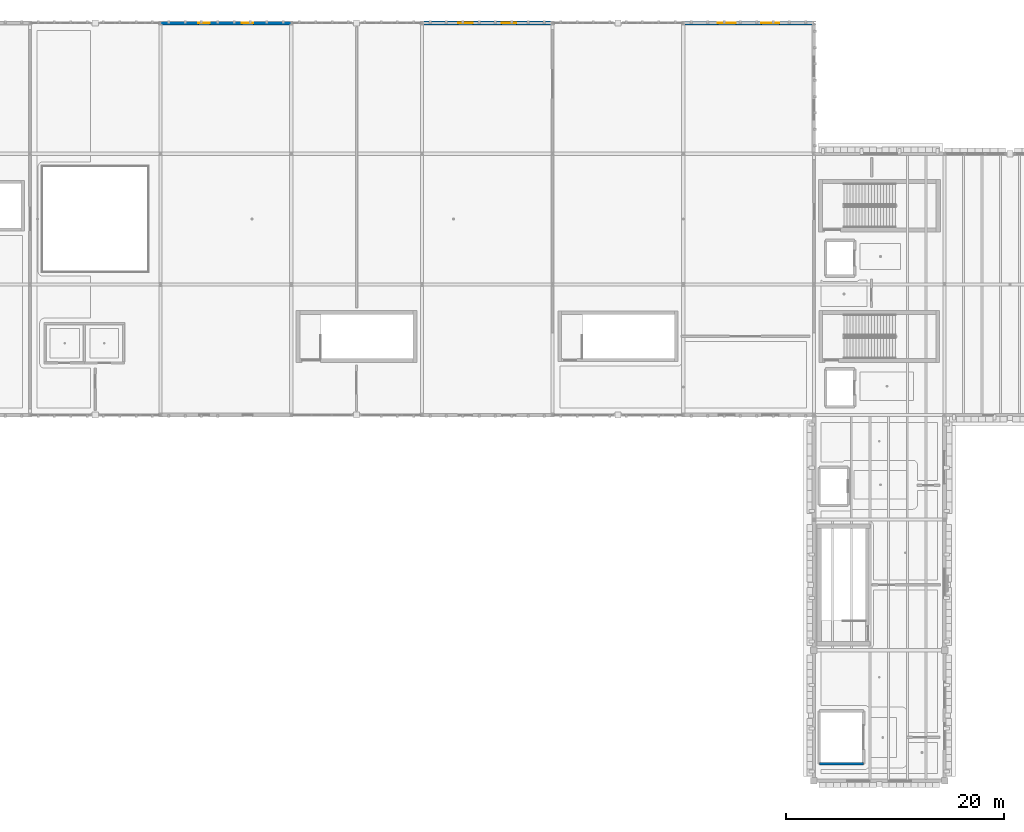
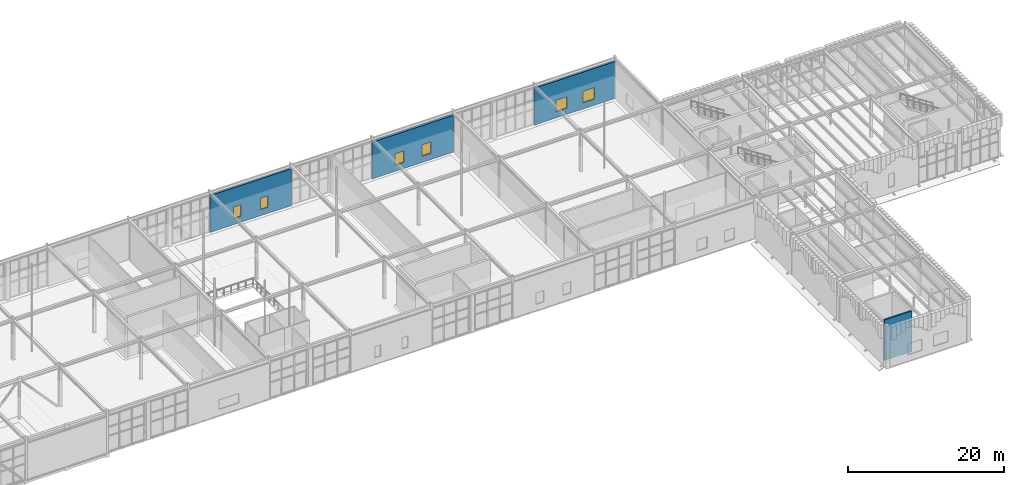
# One storey, part 40 of 62: 6 windows, 4 walls, 6 openings.
"""IFC4 building model written with IfcOpenShell, lengths in metres."""

from ifc_helpers import new_model, si_unit, direction, frame, frame_2d, origin, place, context, subcontext, project, spatial, rectangle, extrude, material, layer, layer_set, type_object, element, fill, save


model = new_model("IFC4")

# Units and contexts
model_context = context("Model", 3, precision=1e-05, world=origin(), true_north=direction((0.0, 1.0)))
body_context = subcontext(model_context, "Body", "Model", "MODEL_VIEW")
ifc_project = project(units=[si_unit("LENGTHUNIT", "METRE"), si_unit("AREAUNIT", "SQUARE_METRE"), si_unit("VOLUMEUNIT", "CUBIC_METRE"), si_unit("PLANEANGLEUNIT", "RADIAN"), si_unit("MASSUNIT", "GRAM", prefix="KILO")], contexts=[model_context])

# Site, building, storey
site_placement = place(None, origin())
site = spatial("IfcSite", under=ifc_project, at=site_placement, CompositionType="ELEMENT")
building_placement = place(site_placement, origin())
building = spatial("IfcBuilding", under=site, at=building_placement, Name="Zlatogorsky Bluff Art Gallery", CompositionType="ELEMENT")
storey_placement = place(building_placement, frame((0.0, 0.0, 16.800048828125)))
storey = spatial("IfcBuildingStorey", under=building, at=storey_placement, Name="L03", CompositionType="ELEMENT", Elevation=16.800048828125)

# Wall, openings, windows
ifc_material_1 = material(Name="Precast concrete C40/50", Category="concrete")
ifc_layer_1 = layer(ifc_material_1, 0.39990234375)
ifc_layer_set_1 = layer_set([ifc_layer_1], Name="Exterior Wall EW-02 400mm")
wall_type_1 = type_object("IfcWallType", Name="Exterior Wall EW-02 400mm", PredefinedType="SOLIDWALL", material=ifc_layer_set_1)
wall_1_placement = place(storey_placement, frame((96.0, 120.0, 0.0), z_axis=(0.0, 0.0, 1.0), x_axis=(-1.0, 0.0, 0.0)))
wall_1 = element("IfcWall", 1, at=wall_1_placement, inside=storey, type_object=wall_type_1, Name="Exterior wall EW-02 L03 N 7.10", PredefinedType="SOLIDWALL", context=body_context, shape_type="SweptSolid", body=[
    extrude(rectangle(XDim=12.0, YDim=0.39990234375, at=frame_2d((6.0, 0.0))), origin(), (0.0, 0.0, 1.0), 5.75),
])
opening_1_placement = place(wall_1_placement, frame((3.324951171875, 0.0, 0.949951171875)))
opening_1 = element("IfcOpeningElement", 2, at=opening_1_placement, cuts=wall_1, Name="Opening WN-16", PredefinedType="OPENING", context=body_context, shape_type="SweptSolid", body=[
    extrude(rectangle(XDim=1.35009765625, YDim=1.800048828125, at=frame_2d((0.675048828125, 0.89990234375))), frame((0.0, 0.2099609375, 0.0), z_axis=(0.0, -1.0, 0.0), x_axis=(1.0, 0.0, 0.0)), (0.0, 0.0, 1.0), 0.419921875),
])
opening_2_placement = place(wall_1_placement, frame((7.324951171875, 0.0, 0.949951171875)))
opening_2 = element("IfcOpeningElement", 3, at=opening_2_placement, cuts=wall_1, Name="Opening WN-16", PredefinedType="OPENING", context=body_context, shape_type="SweptSolid", body=[
    extrude(rectangle(XDim=1.35009765625, YDim=1.800048828125, at=frame_2d((0.675048828125, 0.89990234375))), frame((0.0, 0.2099609375, 0.0), z_axis=(0.0, -1.0, 0.0), x_axis=(1.0, 0.0, 0.0)), (0.0, 0.0, 1.0), 0.419921875),
])
ifc_material_2 = material(Name="Bronze-Anodised Aluminium Triple Glazing", Category="aluminium")
window_type_1 = type_object("IfcWindowType", Name="Pointed-Reveal Window WN-16 1350x1800", PartitioningType="SINGLE_PANEL", PredefinedType="WINDOW", material=ifc_material_2)
window_1_placement = place(opening_1_placement, origin())
window_1 = element("IfcWindow", 4, at=window_1_placement, inside=storey, type_object=window_type_1, Name="Window WN-16 L03.N.7.10.1", OverallHeight=1.800048828125, OverallWidth=1.35009765625, PartitioningType="SINGLE_PANEL", PredefinedType="WINDOW", context=body_context, shape_type="SweptSolid", body=[
    extrude(rectangle(XDim=1.35009765625, YDim=1.800048828125, at=frame_2d((0.675048828125, 0.89990234375))), frame((0.0, 0.030029296875, 0.0), z_axis=(0.0, -1.0, 0.0), x_axis=(1.0, 0.0, 0.0)), (0.0, 0.0, 1.0), 0.06005859375),
])
fill(opening_1, window_1)
window_2_placement = place(opening_2_placement, origin())
window_2 = element("IfcWindow", 5, at=window_2_placement, inside=storey, type_object=window_type_1, Name="Window WN-16 L03.N.7.10.2", OverallHeight=1.800048828125, OverallWidth=1.35009765625, PartitioningType="SINGLE_PANEL", PredefinedType="WINDOW", context=body_context, shape_type="SweptSolid", body=[
    extrude(rectangle(XDim=1.35009765625, YDim=1.800048828125, at=frame_2d((0.675048828125, 0.89990234375))), frame((0.0, 0.030029296875, 0.0), z_axis=(0.0, -1.0, 0.0), x_axis=(1.0, 0.0, 0.0)), (0.0, 0.0, 1.0), 0.06005859375),
])
fill(opening_2, window_2)

ifc_layer_2 = layer(ifc_material_1, 0.320068359375)
ifc_layer_set_2 = layer_set([ifc_layer_2], Name="Exterior Wall EW-04 320mm")
wall_type_2 = type_object("IfcWallType", Name="Exterior Wall EW-04 320mm", PredefinedType="SOLIDWALL", material=ifc_layer_set_2)
wall_2_placement = place(storey_placement, frame((72.0, 120.0, 0.0), z_axis=(0.0, 0.0, 1.0), x_axis=(-1.0, 0.0, 0.0)))
wall_2 = element("IfcWall", 6, at=wall_2_placement, inside=storey, type_object=wall_type_2, Name="Exterior wall EW-04 L03 N 5.10", PredefinedType="SOLIDWALL", context=body_context, shape_type="SweptSolid", body=[
    extrude(rectangle(XDim=12.0, YDim=0.320068359375, at=frame_2d((6.0, 0.0))), origin(), (0.0, 0.0, 1.0), 5.75),
])
opening_3_placement = place(wall_2_placement, frame((3.47509765625, 0.0, 0.949951171875)))
opening_3 = element("IfcOpeningElement", 7, at=opening_3_placement, cuts=wall_2, Name="Opening WN-14", PredefinedType="OPENING", context=body_context, shape_type="SweptSolid", body=[
    extrude(rectangle(XDim=1.050048828125, YDim=1.800048828125, at=frame_2d((0.52490234375, 0.89990234375))), frame((0.0, 0.169921875, 0.0), z_axis=(0.0, -1.0, 0.0), x_axis=(1.0, 0.0, 0.0)), (0.0, 0.0, 1.0), 0.340087890625),
])
opening_4_placement = place(wall_2_placement, frame((7.47509765625, 0.0, 0.949951171875)))
opening_4 = element("IfcOpeningElement", 8, at=opening_4_placement, cuts=wall_2, Name="Opening WN-14", PredefinedType="OPENING", context=body_context, shape_type="SweptSolid", body=[
    extrude(rectangle(XDim=1.050048828125, YDim=1.800048828125, at=frame_2d((0.52490234375, 0.89990234375))), frame((0.0, 0.169921875, 0.0), z_axis=(0.0, -1.0, 0.0), x_axis=(1.0, 0.0, 0.0)), (0.0, 0.0, 1.0), 0.340087890625),
])
window_type_2 = type_object("IfcWindowType", Name="Pointed-Reveal Window WN-14 1050x1800", PartitioningType="SINGLE_PANEL", PredefinedType="WINDOW", material=ifc_material_2)
window_3_placement = place(opening_3_placement, origin())
window_3 = element("IfcWindow", 9, at=window_3_placement, inside=storey, type_object=window_type_2, Name="Window WN-14 L03.N.5.10.1", OverallHeight=1.800048828125, OverallWidth=1.050048828125, PartitioningType="SINGLE_PANEL", PredefinedType="WINDOW", context=body_context, shape_type="SweptSolid", body=[
    extrude(rectangle(XDim=1.050048828125, YDim=1.800048828125, at=frame_2d((0.52490234375, 0.89990234375))), frame((0.0, 0.030029296875, 0.0), z_axis=(0.0, -1.0, 0.0), x_axis=(1.0, 0.0, 0.0)), (0.0, 0.0, 1.0), 0.06005859375),
])
fill(opening_3, window_3)
window_4_placement = place(opening_4_placement, origin())
window_4 = element("IfcWindow", 10, at=window_4_placement, inside=storey, type_object=window_type_2, Name="Window WN-14 L03.N.5.10.2", OverallHeight=1.800048828125, OverallWidth=1.050048828125, PartitioningType="SINGLE_PANEL", PredefinedType="WINDOW", context=body_context, shape_type="SweptSolid", body=[
    extrude(rectangle(XDim=1.050048828125, YDim=1.800048828125, at=frame_2d((0.52490234375, 0.89990234375))), frame((0.0, 0.030029296875, 0.0), z_axis=(0.0, -1.0, 0.0), x_axis=(1.0, 0.0, 0.0)), (0.0, 0.0, 1.0), 0.06005859375),
])
fill(opening_4, window_4)

wall_3_placement = place(storey_placement, frame((120.0, 120.0, 0.0), z_axis=(0.0, 0.0, 1.0), x_axis=(-1.0, 0.0, 0.0)))
wall_3 = element("IfcWall", 11, at=wall_3_placement, inside=storey, type_object=wall_type_2, Name="Exterior wall EW-04 L03 N 9.10", PredefinedType="SOLIDWALL", context=body_context, shape_type="SweptSolid", body=[
    extrude(rectangle(XDim=12.0, YDim=0.320068359375, at=frame_2d((6.0, 0.0))), origin(), (0.0, 0.0, 1.0), 5.75),
])
opening_5_placement = place(wall_3_placement, frame((3.175048828125, 0.0, 0.949951171875)))
opening_5 = element("IfcOpeningElement", 12, at=opening_5_placement, cuts=wall_3, Name="Opening WN-18", PredefinedType="OPENING", context=body_context, shape_type="SweptSolid", body=[
    extrude(rectangle(XDim=1.64990234375, YDim=1.800048828125, at=frame_2d((0.824951171875, 0.89990234375))), frame((0.0, 0.169921875, 0.0), z_axis=(0.0, -1.0, 0.0), x_axis=(1.0, 0.0, 0.0)), (0.0, 0.0, 1.0), 0.340087890625),
])
opening_6_placement = place(wall_3_placement, frame((7.175048828125, 0.0, 0.949951171875)))
opening_6 = element("IfcOpeningElement", 13, at=opening_6_placement, cuts=wall_3, Name="Opening WN-18", PredefinedType="OPENING", context=body_context, shape_type="SweptSolid", body=[
    extrude(rectangle(XDim=1.64990234375, YDim=1.800048828125, at=frame_2d((0.824951171875, 0.89990234375))), frame((0.0, 0.169921875, 0.0), z_axis=(0.0, -1.0, 0.0), x_axis=(1.0, 0.0, 0.0)), (0.0, 0.0, 1.0), 0.340087890625),
])
window_type_3 = type_object("IfcWindowType", Name="Pointed-Reveal Window WN-18 1650x1800", PartitioningType="SINGLE_PANEL", PredefinedType="WINDOW", material=ifc_material_2)
window_5_placement = place(opening_5_placement, origin())
window_5 = element("IfcWindow", 14, at=window_5_placement, inside=storey, type_object=window_type_3, Name="Window WN-18 L03.N.9.10.1", OverallHeight=1.800048828125, OverallWidth=1.64990234375, PartitioningType="SINGLE_PANEL", PredefinedType="WINDOW", context=body_context, shape_type="SweptSolid", body=[
    extrude(rectangle(XDim=1.64990234375, YDim=1.800048828125, at=frame_2d((0.824951171875, 0.89990234375))), frame((0.0, 0.030029296875, 0.0), z_axis=(0.0, -1.0, 0.0), x_axis=(1.0, 0.0, 0.0)), (0.0, 0.0, 1.0), 0.06005859375),
])
fill(opening_5, window_5)
window_6_placement = place(opening_6_placement, origin())
window_6 = element("IfcWindow", 15, at=window_6_placement, inside=storey, type_object=window_type_3, Name="Window WN-18 L03.N.9.10.2", OverallHeight=1.800048828125, OverallWidth=1.64990234375, PartitioningType="SINGLE_PANEL", PredefinedType="WINDOW", context=body_context, shape_type="SweptSolid", body=[
    extrude(rectangle(XDim=1.64990234375, YDim=1.800048828125, at=frame_2d((0.824951171875, 0.89990234375))), frame((0.0, 0.030029296875, 0.0), z_axis=(0.0, -1.0, 0.0), x_axis=(1.0, 0.0, 0.0)), (0.0, 0.0, 1.0), 0.06005859375),
])
fill(opening_6, window_6)

# Wall
ifc_material_3 = material(Name="Concrete C35/45", Category="concrete")
ifc_layer_3 = layer(ifc_material_3, 0.25)
ifc_layer_set_3 = layer_set([ifc_layer_3], Name="Interior Wall IW-05 250mm")
wall_type_3 = type_object("IfcWallType", Name="Interior Wall IW-05 250mm", PredefinedType="SOLIDWALL", material=ifc_layer_set_3)
wall_4_placement = place(storey_placement, frame((120.4951171875, 51.97509765625, 0.0), z_axis=(0.0, 0.0, 1.0), x_axis=(1.0, 0.0, 0.0)))
element("IfcWall", 16, at=wall_4_placement, inside=storey, type_object=wall_type_3, Name="Lift GL-1 shaft wall L03 S", PredefinedType="SOLIDWALL", context=body_context, shape_type="SweptSolid", body=[
    extrude(rectangle(XDim=4.0498046875, YDim=0.25, at=frame_2d((2.02490234375, 0.0))), origin(), (0.0, 0.0, 1.0), 6.33984375),
])

save(model, "model.ifc")
